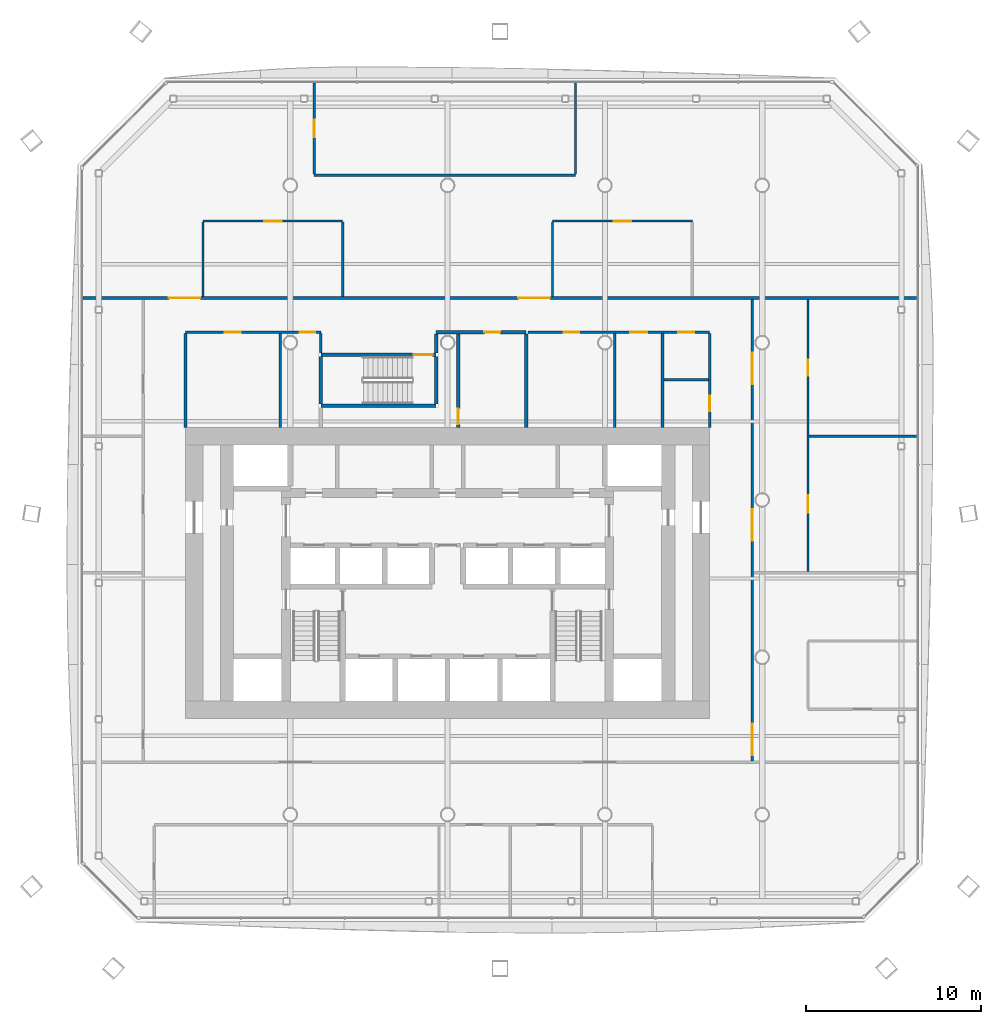
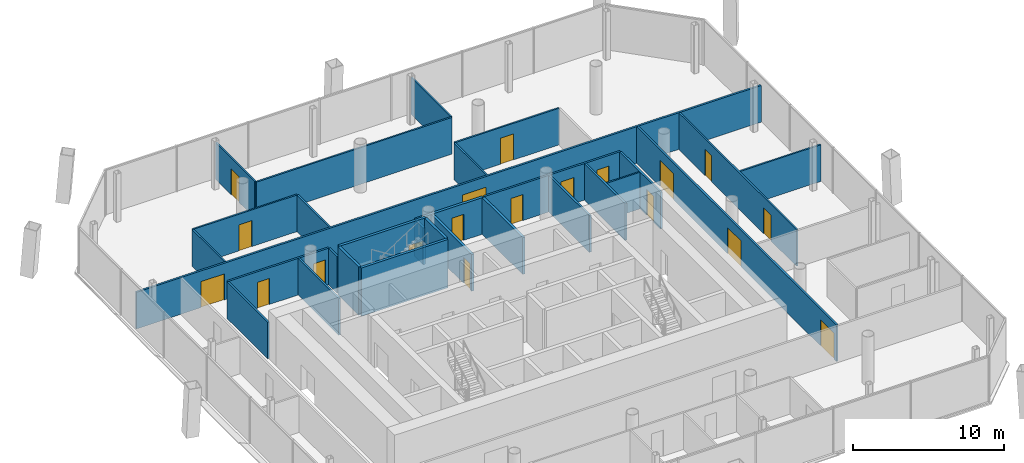
# One storey, part 13 of 19: 29 walls, 19 doors, 19 openings.
"""IFC4 building model written with IfcOpenShell, lengths in metres."""

from ifc_helpers import new_model, si_unit, direction, frame, frame_2d, origin, place, context, subcontext, project, spatial, rectangle, extrude, material, layer, layer_set, type_object, element, fill, save


model = new_model("IFC4")

# Units and contexts
model_context = context("Model", 3, precision=1e-05, world=origin(), true_north=direction((0.0, 1.0)))
body_context = subcontext(model_context, "Body", "Model", "MODEL_VIEW")
ifc_project = project(units=[si_unit("LENGTHUNIT", "METRE"), si_unit("AREAUNIT", "SQUARE_METRE"), si_unit("VOLUMEUNIT", "CUBIC_METRE"), si_unit("PLANEANGLEUNIT", "RADIAN"), si_unit("MASSUNIT", "GRAM", prefix="KILO")], contexts=[model_context])

# Site, building, storey
site_placement = place(None, origin())
site = spatial("IfcSite", under=ifc_project, at=site_placement, CompositionType="ELEMENT")
building_placement = place(site_placement, origin())
building = spatial("IfcBuilding", under=site, at=building_placement, Name="Tskaro Facet Tower", CompositionType="ELEMENT")
storey_placement = place(building_placement, frame((0.0, 0.0, 101.10009765625)))
storey = spatial("IfcBuildingStorey", under=building, at=storey_placement, Name="L24", CompositionType="ELEMENT", Elevation=101.10009765625)

# Walls
ifc_material_1 = material(Name="Gypsum board on steel studs", Category="steel")
ifc_layer_1 = layer(ifc_material_1, 0.125, Name="Gypsum board on steel studs")
ifc_layer_set_1 = layer_set([ifc_layer_1], Name="Gypsum board on steel studs")
wall_type_1 = type_object("IfcWallType", Name="PART", PredefinedType="PARTITIONING", material=ifc_layer_set_1)
wall_1_placement = place(storey_placement, frame((20.6875, 3.64794921875, 0.0), z_axis=(0.0, 0.0, 1.0), x_axis=(1.0, 0.0, 0.0)))
element("IfcWall", 1, at=wall_1_placement, inside=storey, type_object=wall_type_1, Name="Partition W018", PredefinedType="PARTITIONING", context=body_context, shape_type="SweptSolid", body=[
    extrude(rectangle(XDim=6.177490234375, YDim=0.125, at=frame_2d((3.0888671875, 0.0))), origin(), (0.0, 0.0, 1.0), 2.9599609375),
])
wall_2_placement = place(storey_placement, frame((12.375, 6.8779296875, 0.0), z_axis=(0.0, 0.0, 1.0), x_axis=(1.0, 0.0, 0.0)))
element("IfcWall", 2, at=wall_2_placement, inside=storey, type_object=wall_type_1, Name="Partition W020", PredefinedType="PARTITIONING", context=body_context, shape_type="SweptSolid", body=[
    extrude(rectangle(XDim=2.550048828125, YDim=0.125, at=frame_2d((1.27490234375, 0.0))), origin(), (0.0, 0.0, 1.0), 2.9599609375),
])

# Wall, opening, door
wall_3_placement = place(storey_placement, frame((-6.0, 15.955078125, 0.0), z_axis=(0.0, 0.0, 1.0), x_axis=(-1.0, 0.0, 0.0)))
wall_3 = element("IfcWall", 3, at=wall_3_placement, inside=storey, type_object=wall_type_1, Name="Partition W026", PredefinedType="PARTITIONING", context=body_context, shape_type="SweptSolid", body=[
    extrude(rectangle(XDim=8.0, YDim=0.125, at=frame_2d((4.0, 0.0))), origin(), (0.0, 0.0, 1.0), 2.9599609375),
])
opening_1_placement = place(wall_3_placement, frame((3.5, 0.0, 0.0)))
opening_1 = element("IfcOpeningElement", 4, at=opening_1_placement, cuts=wall_3, Name="Opening T7-D41", PredefinedType="OPENING", context=body_context, shape_type="SweptSolid", body=[
    extrude(rectangle(XDim=1.0, YDim=2.10009765625, at=frame_2d((0.5, 1.050048828125))), frame((0.0, 0.072509765625, 0.0), z_axis=(0.0, -1.0, 0.0), x_axis=(1.0, 0.0, 0.0)), (0.0, 0.0, 1.0), 0.14501953125),
])
ifc_material_2 = material(Name="Timber", Category="wood")
door_type_1 = type_object("IfcDoorType", Name="D-ROOM-WIDE", OperationType="NOTDEFINED", PredefinedType="DOOR", material=ifc_material_2)
door_1_placement = place(opening_1_placement, origin())
door_1 = element("IfcDoor", 5, at=door_1_placement, inside=storey, type_object=door_type_1, Name="Door T7-D41", OperationType="SINGLE_SWING_RIGHT", OverallHeight=2.10009765625, OverallWidth=1.0, PredefinedType="DOOR", context=body_context, shape_type="SweptSolid", body=[
    extrude(rectangle(XDim=1.0, YDim=2.10009765625, at=frame_2d((0.5, 1.050048828125))), frame((0.0, 0.02490234375, 0.0), z_axis=(0.0, -1.0, 0.0), x_axis=(1.0, 0.0, 0.0)), (0.0, 0.0, 1.0), 0.050048828125),
])
fill(opening_1, door_1)

wall_4_placement = place(storey_placement, frame((14.0, 15.955078125, 0.0), z_axis=(0.0, 0.0, 1.0), x_axis=(-1.0, 0.0, 0.0)))
wall_4 = element("IfcWall", 6, at=wall_4_placement, inside=storey, type_object=wall_type_1, Name="Partition W027", PredefinedType="PARTITIONING", context=body_context, shape_type="SweptSolid", body=[
    extrude(rectangle(XDim=8.0, YDim=0.125, at=frame_2d((4.0, 0.0))), origin(), (0.0, 0.0, 1.0), 2.9599609375),
])
opening_2_placement = place(wall_4_placement, frame((3.5, 0.0, 0.0)))
opening_2 = element("IfcOpeningElement", 7, at=opening_2_placement, cuts=wall_4, Name="Opening T7-D42", PredefinedType="OPENING", context=body_context, shape_type="SweptSolid", body=[
    extrude(rectangle(XDim=1.0, YDim=2.10009765625, at=frame_2d((0.5, 1.050048828125))), frame((0.0, 0.072509765625, 0.0), z_axis=(0.0, -1.0, 0.0), x_axis=(1.0, 0.0, 0.0)), (0.0, 0.0, 1.0), 0.14501953125),
])
door_2_placement = place(opening_2_placement, origin())
door_2 = element("IfcDoor", 8, at=door_2_placement, inside=storey, type_object=door_type_1, Name="Door T7-D42", OperationType="SINGLE_SWING_RIGHT", OverallHeight=2.10009765625, OverallWidth=1.0, PredefinedType="DOOR", context=body_context, shape_type="SweptSolid", body=[
    extrude(rectangle(XDim=1.0, YDim=2.10009765625, at=frame_2d((0.5, 1.050048828125))), frame((0.0, 0.02490234375, 0.0), z_axis=(0.0, -1.0, 0.0), x_axis=(1.0, 0.0, 0.0)), (0.0, 0.0, 1.0), 0.050048828125),
])
fill(opening_2, door_2)

# Walls
wall_5_placement = place(storey_placement, frame((-7.634033203125, 18.580078125, 0.0), z_axis=(0.0, 0.0, 1.0), x_axis=(1.0, 0.0, 0.0)))
element("IfcWall", 9, at=wall_5_placement, inside=storey, type_object=wall_type_1, Name="Partition W028", PredefinedType="PARTITIONING", context=body_context, shape_type="SweptSolid", body=[
    extrude(rectangle(XDim=14.9521484375, YDim=0.125, at=frame_2d((7.47607421875, 0.0))), origin(), (0.0, 0.0, 1.0), 2.9599609375),
])
wall_6_placement = place(storey_placement, frame((-14.0, 11.6298828125, 0.0), z_axis=(0.0, 0.0, 1.0), x_axis=(0.0, 1.0, 0.0)))
element("IfcWall", 10, at=wall_6_placement, inside=storey, type_object=wall_type_1, Name="Partition W032", PredefinedType="PARTITIONING", context=body_context, shape_type="SweptSolid", body=[
    extrude(rectangle(XDim=4.2626953125, YDim=0.125, at=frame_2d((2.13134765625, 0.0))), origin(), (0.0, 0.0, 1.0), 2.9599609375),
])

# Wall, opening, door
wall_7_placement = place(storey_placement, frame((-7.634033203125, 23.864990234375, 0.0), z_axis=(0.0, 0.0, 1.0), x_axis=(0.0, -1.0, 0.0)))
wall_7 = element("IfcWall", 11, at=wall_7_placement, inside=storey, type_object=wall_type_1, Name="Partition W035", PredefinedType="PARTITIONING", context=body_context, shape_type="SweptSolid", body=[
    extrude(rectangle(XDim=5.222412109375, YDim=0.125, at=frame_2d((2.611328125, 0.0))), origin(), (0.0, 0.0, 1.0), 2.9599609375),
])
opening_3_placement = place(wall_7_placement, frame((2.111328125, 0.0, 0.0)))
opening_3 = element("IfcOpeningElement", 12, at=opening_3_placement, cuts=wall_7, Name="Opening T7-D43", PredefinedType="OPENING", context=body_context, shape_type="SweptSolid", body=[
    extrude(rectangle(XDim=1.0, YDim=2.10009765625, at=frame_2d((0.5, 1.050048828125))), frame((0.0, 0.072509765625, 0.0), z_axis=(0.0, -1.0, 0.0), x_axis=(1.0, 0.0, 0.0)), (0.0, 0.0, 1.0), 0.14501953125),
])
door_3_placement = place(opening_3_placement, origin())
door_3 = element("IfcDoor", 13, at=door_3_placement, inside=storey, type_object=door_type_1, Name="Door T7-D43", OperationType="SINGLE_SWING_RIGHT", OverallHeight=2.10009765625, OverallWidth=1.0, PredefinedType="DOOR", context=body_context, shape_type="SweptSolid", body=[
    extrude(rectangle(XDim=1.0, YDim=2.10009765625, at=frame_2d((0.5, 1.050048828125))), frame((0.0, 0.02490234375, 0.0), z_axis=(0.0, -1.0, 0.0), x_axis=(1.0, 0.0, 0.0)), (0.0, 0.0, 1.0), 0.050048828125),
])
fill(opening_3, door_3)

# Walls
for number, where, z_axis, x_axis, name in (
    (14, (-6.0, 11.6298828125, 0.0), (0.0, 0.0, 1.0), (0.0, 1.0, 0.0), "Partition W042"),
    (15, (6.0, 11.6298828125, 0.0), (0.0, 0.0, 1.0), (0.0, 1.0, 0.0), "Partition W059"),
):
    element("IfcWall", number, at=place(storey_placement, frame(where, z_axis=z_axis, x_axis=x_axis)), inside=storey, type_object=wall_type_1, Name=name, PredefinedType="PARTITIONING", context=body_context, shape_type="SweptSolid", body=[
        extrude(rectangle(XDim=4.2626953125, YDim=0.125, at=frame_2d((2.13134765625, 0.0))), origin(), (0.0, 0.0, 1.0), 2.9599609375),
    ])
wall_8_placement = place(storey_placement, frame((7.318115234375, 18.642578125, 0.0), z_axis=(0.0, 0.0, 1.0), x_axis=(0.0, 1.0, 0.0)))
element("IfcWall", 16, at=wall_8_placement, inside=storey, type_object=wall_type_1, Name="Partition W062", PredefinedType="PARTITIONING", context=body_context, shape_type="SweptSolid", body=[
    extrude(rectangle(XDim=5.222412109375, YDim=0.125, at=frame_2d((2.611328125, 0.0))), origin(), (0.0, 0.0, 1.0), 2.9599609375),
])

# Wall, openings, doors
wall_9_placement = place(storey_placement, frame((20.625, 11.47998046875, 0.0), z_axis=(0.0, 0.0, 1.0), x_axis=(0.0, -1.0, 0.0)))
wall_9 = element("IfcWall", 17, at=wall_9_placement, inside=storey, type_object=wall_type_1, Name="Partition W072", PredefinedType="PARTITIONING", context=body_context, shape_type="SweptSolid", body=[
    extrude(rectangle(XDim=15.56689453125, YDim=0.125, at=frame_2d((7.783447265625, 0.0))), origin(), (0.0, 0.0, 1.0), 2.9599609375),
])
opening_4_placement = place(wall_9_placement, frame((11.199462890625, 0.0, 0.0)))
opening_4 = element("IfcOpeningElement", 18, at=opening_4_placement, cuts=wall_9, Name="Opening T7-D20", PredefinedType="OPENING", context=body_context, shape_type="SweptSolid", body=[
    extrude(rectangle(XDim=1.0, YDim=2.10009765625, at=frame_2d((0.5, 1.050048828125))), frame((0.0, 0.072509765625, 0.0), z_axis=(0.0, -1.0, 0.0), x_axis=(1.0, 0.0, 0.0)), (0.0, 0.0, 1.0), 0.14501953125),
])
opening_5_placement = place(wall_9_placement, frame((3.466064453125, 0.0, 0.0)))
opening_5 = element("IfcOpeningElement", 19, at=opening_5_placement, cuts=wall_9, Name="Opening T7-D32", PredefinedType="OPENING", context=body_context, shape_type="SweptSolid", body=[
    extrude(rectangle(XDim=0.89990234375, YDim=2.10009765625, at=frame_2d((0.449951171875, 1.050048828125))), frame((0.0, 0.072509765625, 0.0), z_axis=(0.0, -1.0, 0.0), x_axis=(1.0, 0.0, 0.0)), (0.0, 0.0, 1.0), 0.14501953125),
])
door_type_2 = type_object("IfcDoorType", Name="D-ROOM", OperationType="NOTDEFINED", PredefinedType="DOOR", material=ifc_material_2)
door_4_placement = place(opening_5_placement, origin())
door_4 = element("IfcDoor", 20, at=door_4_placement, inside=storey, type_object=door_type_2, Name="Door T7-D32", OperationType="SINGLE_SWING_RIGHT", OverallHeight=2.10009765625, OverallWidth=0.89990234375, PredefinedType="DOOR", context=body_context, shape_type="SweptSolid", body=[
    extrude(rectangle(XDim=0.89990234375, YDim=2.10009765625, at=frame_2d((0.449951171875, 1.050048828125))), frame((0.0, 0.02490234375, 0.0), z_axis=(0.0, -1.0, 0.0), x_axis=(1.0, 0.0, 0.0)), (0.0, 0.0, 1.0), 0.050048828125),
])
fill(opening_5, door_4)
door_5_placement = place(opening_4_placement, origin())
door_5 = element("IfcDoor", 21, at=door_5_placement, inside=storey, type_object=door_type_1, Name="Door T7-D20", OperationType="SINGLE_SWING_RIGHT", OverallHeight=2.10009765625, OverallWidth=1.0, PredefinedType="DOOR", context=body_context, shape_type="SweptSolid", body=[
    extrude(rectangle(XDim=1.0, YDim=2.10009765625, at=frame_2d((0.5, 1.050048828125))), frame((0.0, 0.02490234375, 0.0), z_axis=(0.0, -1.0, 0.0), x_axis=(1.0, 0.0, 0.0)), (0.0, 0.0, 1.0), 0.050048828125),
])
fill(opening_4, door_5)

ifc_layer_2 = layer(ifc_material_1, 0.14990234375, Name="Gypsum board on steel studs")
ifc_layer_set_2 = layer_set([ifc_layer_2], Name="Gypsum board on steel studs")
wall_type_2 = type_object("IfcWallType", Name="PART-CORR", PredefinedType="PARTITIONING", material=ifc_layer_set_2)
wall_10_placement = place(storey_placement, frame((-7.25, 9.60498046875, 0.0), z_axis=(0.0, 0.0, 1.0), x_axis=(-1.0, 0.0, 0.0)))
wall_10 = element("IfcWall", 22, at=wall_10_placement, inside=storey, type_object=wall_type_2, Name="Corridor wall W022", PredefinedType="PARTITIONING", context=body_context, shape_type="SweptSolid", body=[
    extrude(rectangle(XDim=7.75, YDim=0.14990234375, at=frame_2d((3.875, 0.0))), origin(), (0.0, 0.0, 1.0), 2.9599609375),
])
opening_6_placement = place(wall_10_placement, frame((0.3125, 0.0, 0.0)))
opening_6 = element("IfcOpeningElement", 23, at=opening_6_placement, cuts=wall_10, Name="Opening T7-D34", PredefinedType="OPENING", context=body_context, shape_type="SweptSolid", body=[
    extrude(rectangle(XDim=0.89990234375, YDim=2.10009765625, at=frame_2d((0.449951171875, 1.050048828125))), frame((0.0, 0.0849609375, 0.0), z_axis=(0.0, -1.0, 0.0), x_axis=(1.0, 0.0, 0.0)), (0.0, 0.0, 1.0), 0.169921875),
])
opening_7_placement = place(wall_10_placement, frame((4.58740234375, 0.0, 0.0)))
opening_7 = element("IfcOpeningElement", 24, at=opening_7_placement, cuts=wall_10, Name="Opening T7-D33", PredefinedType="OPENING", context=body_context, shape_type="SweptSolid", body=[
    extrude(rectangle(XDim=0.89990234375, YDim=2.10009765625, at=frame_2d((0.449951171875, 1.050048828125))), frame((0.0, 0.0849609375, 0.0), z_axis=(0.0, -1.0, 0.0), x_axis=(1.0, 0.0, 0.0)), (0.0, 0.0, 1.0), 0.169921875),
])
ifc_material_3 = material(Name="Steel", Category="steel")
door_type_3 = type_object("IfcDoorType", Name="D-RISER", OperationType="NOTDEFINED", PredefinedType="DOOR", material=ifc_material_3)
door_6_placement = place(opening_6_placement, origin())
door_6 = element("IfcDoor", 25, at=door_6_placement, inside=storey, type_object=door_type_3, Name="Door T7-D34", OperationType="SINGLE_SWING_RIGHT", OverallHeight=2.10009765625, OverallWidth=0.89990234375, PredefinedType="DOOR", context=body_context, shape_type="SweptSolid", body=[
    extrude(rectangle(XDim=0.89990234375, YDim=2.10009765625, at=frame_2d((0.449951171875, 1.050048828125))), frame((0.0, 0.02490234375, 0.0), z_axis=(0.0, -1.0, 0.0), x_axis=(1.0, 0.0, 0.0)), (0.0, 0.0, 1.0), 0.050048828125),
])
fill(opening_6, door_6)
door_7_placement = place(opening_7_placement, origin())
door_7 = element("IfcDoor", 26, at=door_7_placement, inside=storey, type_object=door_type_2, Name="Door T7-D33", OperationType="SINGLE_SWING_RIGHT", OverallHeight=2.10009765625, OverallWidth=0.89990234375, PredefinedType="DOOR", context=body_context, shape_type="SweptSolid", body=[
    extrude(rectangle(XDim=0.89990234375, YDim=2.10009765625, at=frame_2d((0.449951171875, 1.050048828125))), frame((0.0, 0.02490234375, 0.0), z_axis=(0.0, -1.0, 0.0), x_axis=(1.0, 0.0, 0.0)), (0.0, 0.0, 1.0), 0.050048828125),
])
fill(opening_7, door_7)

wall_11_placement = place(storey_placement, frame((15.0, 9.60498046875, 0.0), z_axis=(0.0, 0.0, 1.0), x_axis=(-1.0, 0.0, 0.0)))
wall_11 = element("IfcWall", 27, at=wall_11_placement, inside=storey, type_object=wall_type_2, Name="Corridor wall W024", PredefinedType="PARTITIONING", context=body_context, shape_type="SweptSolid", body=[
    extrude(rectangle(XDim=10.39990234375, YDim=0.14990234375, at=frame_2d((5.199951171875, 0.0))), origin(), (0.0, 0.0, 1.0), 2.9599609375),
])
opening_8_placement = place(wall_11_placement, frame((0.89990234375, 0.0, 0.0)))
opening_8 = element("IfcOpeningElement", 28, at=opening_8_placement, cuts=wall_11, Name="Opening T7-D38", PredefinedType="OPENING", context=body_context, shape_type="SweptSolid", body=[
    extrude(rectangle(XDim=0.89990234375, YDim=2.10009765625, at=frame_2d((0.449951171875, 1.050048828125))), frame((0.0, 0.0849609375, 0.0), z_axis=(0.0, -1.0, 0.0), x_axis=(1.0, 0.0, 0.0)), (0.0, 0.0, 1.0), 0.169921875),
])
opening_9_placement = place(wall_11_placement, frame((7.46240234375, 0.0, 0.0)))
opening_9 = element("IfcOpeningElement", 29, at=opening_9_placement, cuts=wall_11, Name="Opening T7-D36", PredefinedType="OPENING", context=body_context, shape_type="SweptSolid", body=[
    extrude(rectangle(XDim=0.89990234375, YDim=2.10009765625, at=frame_2d((0.449951171875, 1.050048828125))), frame((0.0, 0.0849609375, 0.0), z_axis=(0.0, -1.0, 0.0), x_axis=(1.0, 0.0, 0.0)), (0.0, 0.0, 1.0), 0.169921875),
])
opening_10_placement = place(wall_11_placement, frame((3.5625, 0.0, 0.0)))
opening_10 = element("IfcOpeningElement", 30, at=opening_10_placement, cuts=wall_11, Name="Opening T7-D37", PredefinedType="OPENING", context=body_context, shape_type="SweptSolid", body=[
    extrude(rectangle(XDim=1.0, YDim=2.10009765625, at=frame_2d((0.5, 1.050048828125))), frame((0.0, 0.0849609375, 0.0), z_axis=(0.0, -1.0, 0.0), x_axis=(1.0, 0.0, 0.0)), (0.0, 0.0, 1.0), 0.169921875),
])
door_8_placement = place(opening_8_placement, origin())
door_8 = element("IfcDoor", 31, at=door_8_placement, inside=storey, type_object=door_type_2, Name="Door T7-D38", OperationType="SINGLE_SWING_RIGHT", OverallHeight=2.10009765625, OverallWidth=0.89990234375, PredefinedType="DOOR", context=body_context, shape_type="SweptSolid", body=[
    extrude(rectangle(XDim=0.89990234375, YDim=2.10009765625, at=frame_2d((0.449951171875, 1.050048828125))), frame((0.0, 0.02490234375, 0.0), z_axis=(0.0, -1.0, 0.0), x_axis=(1.0, 0.0, 0.0)), (0.0, 0.0, 1.0), 0.050048828125),
])
fill(opening_8, door_8)
door_9_placement = place(opening_9_placement, origin())
door_9 = element("IfcDoor", 32, at=door_9_placement, inside=storey, type_object=door_type_2, Name="Door T7-D36", OperationType="SINGLE_SWING_RIGHT", OverallHeight=2.10009765625, OverallWidth=0.89990234375, PredefinedType="DOOR", context=body_context, shape_type="SweptSolid", body=[
    extrude(rectangle(XDim=0.89990234375, YDim=2.10009765625, at=frame_2d((0.449951171875, 1.050048828125))), frame((0.0, 0.02490234375, 0.0), z_axis=(0.0, -1.0, 0.0), x_axis=(1.0, 0.0, 0.0)), (0.0, 0.0, 1.0), 0.050048828125),
])
fill(opening_9, door_9)
door_10_placement = place(opening_10_placement, origin())
door_10 = element("IfcDoor", 33, at=door_10_placement, inside=storey, type_object=door_type_1, Name="Door T7-D37", OperationType="SINGLE_SWING_RIGHT", OverallHeight=2.10009765625, OverallWidth=1.0, PredefinedType="DOOR", context=body_context, shape_type="SweptSolid", body=[
    extrude(rectangle(XDim=1.0, YDim=2.10009765625, at=frame_2d((0.5, 1.050048828125))), frame((0.0, 0.02490234375, 0.0), z_axis=(0.0, -1.0, 0.0), x_axis=(1.0, 0.0, 0.0)), (0.0, 0.0, 1.0), 0.050048828125),
])
fill(opening_10, door_10)

wall_12_placement = place(storey_placement, frame((26.864990234375, 11.554931640625, 0.0), z_axis=(0.0, 0.0, 1.0), x_axis=(-1.0, 0.0, 0.0)))
wall_12 = element("IfcWall", 34, at=wall_12_placement, inside=storey, type_object=wall_type_2, Name="Corridor wall W025", PredefinedType="PARTITIONING", context=body_context, shape_type="SweptSolid", body=[
    extrude(rectangle(XDim=47.72998046875, YDim=0.14990234375, at=frame_2d((23.864990234375, 0.0))), origin(), (0.0, 0.0, 1.0), 2.9599609375),
])
opening_11_placement = place(wall_12_placement, frame((41.014892578125, 0.0, 0.0)))
opening_11 = element("IfcOpeningElement", 35, at=opening_11_placement, cuts=wall_12, Name="Opening T7-D39", PredefinedType="OPENING", context=body_context, shape_type="SweptSolid", body=[
    extrude(rectangle(XDim=1.800048828125, YDim=2.10009765625, at=frame_2d((0.89990234375, 1.050048828125))), frame((0.0, 0.0849609375, 0.0), z_axis=(0.0, -1.0, 0.0), x_axis=(1.0, 0.0, 0.0)), (0.0, 0.0, 1.0), 0.169921875),
])
opening_12_placement = place(wall_12_placement, frame((21.014892578125, 0.0, 0.0)))
opening_12 = element("IfcOpeningElement", 36, at=opening_12_placement, cuts=wall_12, Name="Opening T7-D40", PredefinedType="OPENING", context=body_context, shape_type="SweptSolid", body=[
    extrude(rectangle(XDim=1.800048828125, YDim=2.10009765625, at=frame_2d((0.89990234375, 1.050048828125))), frame((0.0, 0.0849609375, 0.0), z_axis=(0.0, -1.0, 0.0), x_axis=(1.0, 0.0, 0.0)), (0.0, 0.0, 1.0), 0.169921875),
])
ifc_material_4 = material(Name="Glass", Category="glass")
door_type_4 = type_object("IfcDoorType", Name="D-ENTRY-PAIR", OperationType="NOTDEFINED", PredefinedType="DOOR", material=ifc_material_4)
door_11_placement = place(opening_11_placement, origin())
door_11 = element("IfcDoor", 37, at=door_11_placement, inside=storey, type_object=door_type_4, Name="Door T7-D39", OperationType="DOUBLE_DOOR_SINGLE_SWING", OverallHeight=2.10009765625, OverallWidth=1.800048828125, PredefinedType="DOOR", context=body_context, shape_type="SweptSolid", body=[
    extrude(rectangle(XDim=1.800048828125, YDim=2.10009765625, at=frame_2d((0.89990234375, 1.050048828125))), frame((0.0, 0.02490234375, 0.0), z_axis=(0.0, -1.0, 0.0), x_axis=(1.0, 0.0, 0.0)), (0.0, 0.0, 1.0), 0.050048828125),
])
fill(opening_11, door_11)
door_12_placement = place(opening_12_placement, origin())
door_12 = element("IfcDoor", 38, at=door_12_placement, inside=storey, type_object=door_type_4, Name="Door T7-D40", OperationType="DOUBLE_DOOR_SINGLE_SWING", OverallHeight=2.10009765625, OverallWidth=1.800048828125, PredefinedType="DOOR", context=body_context, shape_type="SweptSolid", body=[
    extrude(rectangle(XDim=1.800048828125, YDim=2.10009765625, at=frame_2d((0.89990234375, 1.050048828125))), frame((0.0, 0.02490234375, 0.0), z_axis=(0.0, -1.0, 0.0), x_axis=(1.0, 0.0, 0.0)), (0.0, 0.0, 1.0), 0.050048828125),
])
fill(opening_12, door_12)

# Walls
for number, where, z_axis, x_axis, name in (
    (39, (-15.0, 4.14990234375, 0.0), (0.0, 0.0, 1.0), (0.0, 1.0, 0.0), "Corridor wall W031"),
    (40, (-9.574951171875, 4.14990234375, 0.0), (0.0, 0.0, 1.0), (0.0, 1.0, 0.0), "Corridor wall W033"),
):
    element("IfcWall", number, at=place(storey_placement, frame(where, z_axis=z_axis, x_axis=x_axis)), inside=storey, type_object=wall_type_2, Name=name, PredefinedType="PARTITIONING", context=body_context, shape_type="SweptSolid", body=[
        extrude(rectangle(XDim=5.380126953125, YDim=0.14990234375, at=frame_2d((2.68994140625, 0.0))), origin(), (0.0, 0.0, 1.0), 2.9599609375),
    ])
wall_13_placement = place(storey_placement, frame((-7.25, 8.39990234375, 0.0), z_axis=(0.0, 0.0, 1.0), x_axis=(0.0, 1.0, 0.0)))
element("IfcWall", 41, at=wall_13_placement, inside=storey, type_object=wall_type_2, Name="Corridor wall W038", PredefinedType="PARTITIONING", context=body_context, shape_type="SweptSolid", body=[
    extrude(rectangle(XDim=1.130126953125, YDim=0.14990234375, at=frame_2d((0.56494140625, 0.0))), origin(), (0.0, 0.0, 1.0), 2.9599609375),
])
for number, where, z_axis, x_axis, name in (
    (42, (9.574951171875, 4.14990234375, 0.0), (0.0, 0.0, 1.0), (0.0, 1.0, 0.0), "Corridor wall W065"),
    (43, (12.300048828125, 4.14990234375, 0.0), (0.0, 0.0, 1.0), (0.0, 1.0, 0.0), "Corridor wall W067"),
):
    element("IfcWall", number, at=place(storey_placement, frame(where, z_axis=z_axis, x_axis=x_axis)), inside=storey, type_object=wall_type_2, Name=name, PredefinedType="PARTITIONING", context=body_context, shape_type="SweptSolid", body=[
        extrude(rectangle(XDim=5.380126953125, YDim=0.14990234375, at=frame_2d((2.68994140625, 0.0))), origin(), (0.0, 0.0, 1.0), 2.9599609375),
    ])

# Wall, opening, door
wall_14_placement = place(storey_placement, frame((15.0, 4.14990234375, 0.0), z_axis=(0.0, 0.0, 1.0), x_axis=(0.0, 1.0, 0.0)))
wall_14 = element("IfcWall", 44, at=wall_14_placement, inside=storey, type_object=wall_type_2, Name="Corridor wall W069", PredefinedType="PARTITIONING", context=body_context, shape_type="SweptSolid", body=[
    extrude(rectangle(XDim=5.380126953125, YDim=0.14990234375, at=frame_2d((2.68994140625, 0.0))), origin(), (0.0, 0.0, 1.0), 2.9599609375),
])
opening_13_placement = place(wall_14_placement, frame((0.9140625, 0.0, 0.0)))
opening_13 = element("IfcOpeningElement", 45, at=opening_13_placement, cuts=wall_14, Name="Opening T7-D29", PredefinedType="OPENING", context=body_context, shape_type="SweptSolid", body=[
    extrude(rectangle(XDim=0.89990234375, YDim=2.10009765625, at=frame_2d((0.449951171875, 1.050048828125))), frame((0.0, 0.0849609375, 0.0), z_axis=(0.0, -1.0, 0.0), x_axis=(1.0, 0.0, 0.0)), (0.0, 0.0, 1.0), 0.169921875),
])
door_13_placement = place(opening_13_placement, origin())
door_13 = element("IfcDoor", 46, at=door_13_placement, inside=storey, type_object=door_type_2, Name="Door T7-D29", OperationType="SINGLE_SWING_LEFT", OverallHeight=2.10009765625, OverallWidth=0.89990234375, PredefinedType="DOOR", context=body_context, shape_type="SweptSolid", body=[
    extrude(rectangle(XDim=0.89990234375, YDim=2.10009765625, at=frame_2d((0.449951171875, 1.050048828125))), frame((0.0, 0.02490234375, 0.0), z_axis=(0.0, -1.0, 0.0), x_axis=(1.0, 0.0, 0.0)), (0.0, 0.0, 1.0), 0.050048828125),
])
fill(opening_13, door_13)

# Wall, openings, doors
wall_15_placement = place(storey_placement, frame((17.425048828125, -14.925048828125, 0.0), z_axis=(0.0, 0.0, 1.0), x_axis=(0.0, 1.0, 0.0)))
wall_15 = element("IfcWall", 47, at=wall_15_placement, inside=storey, type_object=wall_type_2, Name="Corridor wall W070", PredefinedType="PARTITIONING", context=body_context, shape_type="SweptSolid", body=[
    extrude(rectangle(XDim=26.405029296875, YDim=0.14990234375, at=frame_2d((13.20263671875, 0.0))), origin(), (0.0, 0.0, 1.0), 2.9599609375),
])
opening_14_placement = place(wall_15_placement, frame((0.3125, 0.0, 0.0)))
opening_14 = element("IfcOpeningElement", 48, at=opening_14_placement, cuts=wall_15, Name="Opening T7-D08", PredefinedType="OPENING", context=body_context, shape_type="SweptSolid", body=[
    extrude(rectangle(XDim=1.800048828125, YDim=2.10009765625, at=frame_2d((0.89990234375, 1.050048828125))), frame((0.0, 0.0849609375, 0.0), z_axis=(0.0, -1.0, 0.0), x_axis=(1.0, 0.0, 0.0)), (0.0, 0.0, 1.0), 0.169921875),
])
opening_15_placement = place(wall_15_placement, frame((12.592041015625, 0.0, 0.0)))
opening_15 = element("IfcOpeningElement", 49, at=opening_15_placement, cuts=wall_15, Name="Opening T7-D12", PredefinedType="OPENING", context=body_context, shape_type="SweptSolid", body=[
    extrude(rectangle(XDim=1.800048828125, YDim=2.10009765625, at=frame_2d((0.89990234375, 1.050048828125))), frame((0.0, 0.0849609375, 0.0), z_axis=(0.0, -1.0, 0.0), x_axis=(1.0, 0.0, 0.0)), (0.0, 0.0, 1.0), 0.169921875),
])
opening_16_placement = place(wall_15_placement, frame((21.551025390625, 0.0, 0.0)))
opening_16 = element("IfcOpeningElement", 50, at=opening_16_placement, cuts=wall_15, Name="Opening T7-D31", PredefinedType="OPENING", context=body_context, shape_type="SweptSolid", body=[
    extrude(rectangle(XDim=1.800048828125, YDim=2.10009765625, at=frame_2d((0.89990234375, 1.050048828125))), frame((0.0, 0.0849609375, 0.0), z_axis=(0.0, -1.0, 0.0), x_axis=(1.0, 0.0, 0.0)), (0.0, 0.0, 1.0), 0.169921875),
])
door_14_placement = place(opening_14_placement, origin())
door_14 = element("IfcDoor", 51, at=door_14_placement, inside=storey, type_object=door_type_4, Name="Door T7-D08", OperationType="DOUBLE_DOOR_SINGLE_SWING", OverallHeight=2.10009765625, OverallWidth=1.800048828125, PredefinedType="DOOR", context=body_context, shape_type="SweptSolid", body=[
    extrude(rectangle(XDim=1.800048828125, YDim=2.10009765625, at=frame_2d((0.89990234375, 1.050048828125))), frame((0.0, 0.02490234375, 0.0), z_axis=(0.0, -1.0, 0.0), x_axis=(1.0, 0.0, 0.0)), (0.0, 0.0, 1.0), 0.050048828125),
])
fill(opening_14, door_14)
door_15_placement = place(opening_15_placement, origin())
door_15 = element("IfcDoor", 52, at=door_15_placement, inside=storey, type_object=door_type_4, Name="Door T7-D12", OperationType="DOUBLE_DOOR_SINGLE_SWING", OverallHeight=2.10009765625, OverallWidth=1.800048828125, PredefinedType="DOOR", context=body_context, shape_type="SweptSolid", body=[
    extrude(rectangle(XDim=1.800048828125, YDim=2.10009765625, at=frame_2d((0.89990234375, 1.050048828125))), frame((0.0, 0.02490234375, 0.0), z_axis=(0.0, -1.0, 0.0), x_axis=(1.0, 0.0, 0.0)), (0.0, 0.0, 1.0), 0.050048828125),
])
fill(opening_15, door_15)
door_16_placement = place(opening_16_placement, origin())
door_16 = element("IfcDoor", 53, at=door_16_placement, inside=storey, type_object=door_type_4, Name="Door T7-D31", OperationType="DOUBLE_DOOR_SINGLE_SWING", OverallHeight=2.10009765625, OverallWidth=1.800048828125, PredefinedType="DOOR", context=body_context, shape_type="SweptSolid", body=[
    extrude(rectangle(XDim=1.800048828125, YDim=2.10009765625, at=frame_2d((0.89990234375, 1.050048828125))), frame((0.0, 0.02490234375, 0.0), z_axis=(0.0, -1.0, 0.0), x_axis=(1.0, 0.0, 0.0)), (0.0, 0.0, 1.0), 0.050048828125),
])
fill(opening_16, door_16)

# Wall
ifc_material_5 = material(Name="Concrete C60/75", Category="concrete")
ifc_layer_3 = layer(ifc_material_5, 0.199951171875, Name="Concrete C60/75")
ifc_layer_set_3 = layer_set([ifc_layer_3], Name="Concrete C60/75")
wall_type_3 = type_object("IfcWallType", Name="STAIR-WALL", PredefinedType="SHEAR", material=ifc_layer_set_3)
wall_16_placement = place(storey_placement, frame((-7.25, 5.39990234375, 0.0), z_axis=(0.0, 0.0, 1.0), x_axis=(1.0, 0.0, 0.0)))
element("IfcWall", 54, at=wall_16_placement, inside=storey, type_object=wall_type_3, Name="Stair wall W019", PredefinedType="SHEAR", context=body_context, shape_type="SweptSolid", body=[
    extrude(rectangle(XDim=6.60009765625, YDim=0.199951171875, at=frame_2d((3.300048828125, 0.0))), origin(), (0.0, 0.0, 1.0), 3.89990234375),
])

# Wall, opening, door
wall_17_placement = place(storey_placement, frame((-0.64990234375, 8.300048828125, 0.0), z_axis=(0.0, 0.0, 1.0), x_axis=(-1.0, 0.0, 0.0)))
wall_17 = element("IfcWall", 55, at=wall_17_placement, inside=storey, type_object=wall_type_3, Name="Stair wall W021", PredefinedType="SHEAR", context=body_context, shape_type="SweptSolid", body=[
    extrude(rectangle(XDim=6.60009765625, YDim=0.199951171875, at=frame_2d((3.300048828125, 0.0))), origin(), (0.0, 0.0, 1.0), 3.89990234375),
])
opening_17_placement = place(wall_17_placement, frame((0.199951171875, 0.0, 0.0)))
opening_17 = element("IfcOpeningElement", 56, at=opening_17_placement, cuts=wall_17, Name="Opening ST-3-D1", PredefinedType="OPENING", context=body_context, shape_type="SweptSolid", body=[
    extrude(rectangle(XDim=1.10009765625, YDim=2.10009765625, at=frame_2d((0.550048828125, 1.050048828125))), frame((0.0, 0.10986328125, 0.0), z_axis=(0.0, -1.0, 0.0), x_axis=(1.0, 0.0, 0.0)), (0.0, 0.0, 1.0), 0.219970703125),
])
door_type_5 = type_object("IfcDoorType", Name="D-STAIR", OperationType="NOTDEFINED", PredefinedType="DOOR", material=ifc_material_3)
door_17_placement = place(opening_17_placement, origin())
door_17 = element("IfcDoor", 57, at=door_17_placement, inside=storey, type_object=door_type_5, Name="Stair door 3", OperationType="SINGLE_SWING_RIGHT", OverallHeight=2.10009765625, OverallWidth=1.10009765625, PredefinedType="DOOR", context=body_context, shape_type="SweptSolid", body=[
    extrude(rectangle(XDim=1.10009765625, YDim=2.10009765625, at=frame_2d((0.550048828125, 1.050048828125))), frame((0.0, 0.02490234375, 0.0), z_axis=(0.0, -1.0, 0.0), x_axis=(1.0, 0.0, 0.0)), (0.0, 0.0, 1.0), 0.050048828125),
])
fill(opening_17, door_17)

# Walls
for number, where, z_axis, x_axis, name in (
    (58, (-7.25, 5.5, 0.0), (0.0, 0.0, 1.0), (0.0, 1.0, 0.0), "Stair wall W037"),
    (59, (-0.64990234375, 5.5, 0.0), (0.0, 0.0, 1.0), (0.0, 1.0, 0.0), "Stair wall W047"),
):
    element("IfcWall", number, at=place(storey_placement, frame(where, z_axis=z_axis, x_axis=x_axis)), inside=storey, type_object=wall_type_3, Name=name, PredefinedType="SHEAR", context=body_context, shape_type="SweptSolid", body=[
        extrude(rectangle(XDim=2.699951171875, YDim=0.199951171875, at=frame_2d((1.35009765625, 0.0))), origin(), (0.0, 0.0, 1.0), 3.89990234375),
    ])

# Wall, opening, door
ifc_material_6 = material(Name="Concrete C20/25", Category="concrete")
ifc_layer_4 = layer(ifc_material_6, 0.199951171875, Name="Concrete C20/25")
ifc_layer_set_4 = layer_set([ifc_layer_4], Name="Concrete C20/25")
wall_type_4 = type_object("IfcWallType", Name="WALL-RISER", PredefinedType="SOLIDWALL", material=ifc_layer_set_4)
wall_18_placement = place(storey_placement, frame((4.5, 9.60498046875, 0.0), z_axis=(0.0, 0.0, 1.0), x_axis=(-1.0, 0.0, 0.0)))
wall_18 = element("IfcWall", 60, at=wall_18_placement, inside=storey, type_object=wall_type_4, Name="Riser room wall W023", PredefinedType="SOLIDWALL", context=body_context, shape_type="SweptSolid", body=[
    extrude(rectangle(XDim=5.14990234375, YDim=0.199951171875, at=frame_2d((2.574951171875, 0.0))), origin(), (0.0, 0.0, 1.0), 2.9599609375),
])
opening_18_placement = place(wall_18_placement, frame((1.5, 0.0, 0.0)))
opening_18 = element("IfcOpeningElement", 61, at=opening_18_placement, cuts=wall_18, Name="Opening T7-D35", PredefinedType="OPENING", context=body_context, shape_type="SweptSolid", body=[
    extrude(rectangle(XDim=0.89990234375, YDim=2.10009765625, at=frame_2d((0.449951171875, 1.050048828125))), frame((0.0, 0.10986328125, 0.0), z_axis=(0.0, -1.0, 0.0), x_axis=(1.0, 0.0, 0.0)), (0.0, 0.0, 1.0), 0.219970703125),
])
door_18_placement = place(opening_18_placement, origin())
door_18 = element("IfcDoor", 62, at=door_18_placement, inside=storey, type_object=door_type_3, Name="Door T7-D35", OperationType="SINGLE_SWING_RIGHT", OverallHeight=2.10009765625, OverallWidth=0.89990234375, PredefinedType="DOOR", context=body_context, shape_type="SweptSolid", body=[
    extrude(rectangle(XDim=0.89990234375, YDim=2.10009765625, at=frame_2d((0.449951171875, 1.050048828125))), frame((0.0, 0.02490234375, 0.0), z_axis=(0.0, -1.0, 0.0), x_axis=(1.0, 0.0, 0.0)), (0.0, 0.0, 1.0), 0.050048828125),
])
fill(opening_18, door_18)

# Wall
wall_19_placement = place(storey_placement, frame((-0.64990234375, 8.39990234375, 0.0), z_axis=(0.0, 0.0, 1.0), x_axis=(0.0, 1.0, 0.0)))
element("IfcWall", 63, at=wall_19_placement, inside=storey, type_object=wall_type_4, Name="Riser room wall W048", PredefinedType="SOLIDWALL", context=body_context, shape_type="SweptSolid", body=[
    extrude(rectangle(XDim=1.10498046875, YDim=0.199951171875, at=frame_2d((0.552490234375, 0.0))), origin(), (0.0, 0.0, 1.0), 2.9599609375),
])

# Wall, opening, door
wall_20_placement = place(storey_placement, frame((0.60009765625, 4.14990234375, 0.0), z_axis=(0.0, 0.0, 1.0), x_axis=(0.0, 1.0, 0.0)))
wall_20 = element("IfcWall", 64, at=wall_20_placement, inside=storey, type_object=wall_type_4, Name="Riser room wall W051", PredefinedType="SOLIDWALL", context=body_context, shape_type="SweptSolid", body=[
    extrude(rectangle(XDim=5.35498046875, YDim=0.199951171875, at=frame_2d((2.677490234375, 0.0))), origin(), (0.0, 0.0, 1.0), 2.9599609375),
])
opening_19_placement = place(wall_20_placement, frame((0.175048828125, 0.0, 0.0)))
opening_19 = element("IfcOpeningElement", 65, at=opening_19_placement, cuts=wall_20, Name="Opening T7-D28", PredefinedType="OPENING", context=body_context, shape_type="SweptSolid", body=[
    extrude(rectangle(XDim=0.89990234375, YDim=2.10009765625, at=frame_2d((0.449951171875, 1.050048828125))), frame((0.0, 0.10986328125, 0.0), z_axis=(0.0, -1.0, 0.0), x_axis=(1.0, 0.0, 0.0)), (0.0, 0.0, 1.0), 0.219970703125),
])
door_19_placement = place(opening_19_placement, origin())
door_19 = element("IfcDoor", 66, at=door_19_placement, inside=storey, type_object=door_type_3, Name="Door T7-D28", OperationType="SINGLE_SWING_LEFT", OverallHeight=2.10009765625, OverallWidth=0.89990234375, PredefinedType="DOOR", context=body_context, shape_type="SweptSolid", body=[
    extrude(rectangle(XDim=0.89990234375, YDim=2.10009765625, at=frame_2d((0.449951171875, 1.050048828125))), frame((0.0, 0.02490234375, 0.0), z_axis=(0.0, -1.0, 0.0), x_axis=(1.0, 0.0, 0.0)), (0.0, 0.0, 1.0), 0.050048828125),
])
fill(opening_19, door_19)

# Wall
wall_21_placement = place(storey_placement, frame((4.5, 4.14990234375, 0.0), z_axis=(0.0, 0.0, 1.0), x_axis=(0.0, 1.0, 0.0)))
element("IfcWall", 67, at=wall_21_placement, inside=storey, type_object=wall_type_4, Name="Riser room wall W057", PredefinedType="SOLIDWALL", context=body_context, shape_type="SweptSolid", body=[
    extrude(rectangle(XDim=5.35498046875, YDim=0.199951171875, at=frame_2d((2.677490234375, 0.0))), origin(), (0.0, 0.0, 1.0), 2.9599609375),
])

save(model, "model.ifc")
